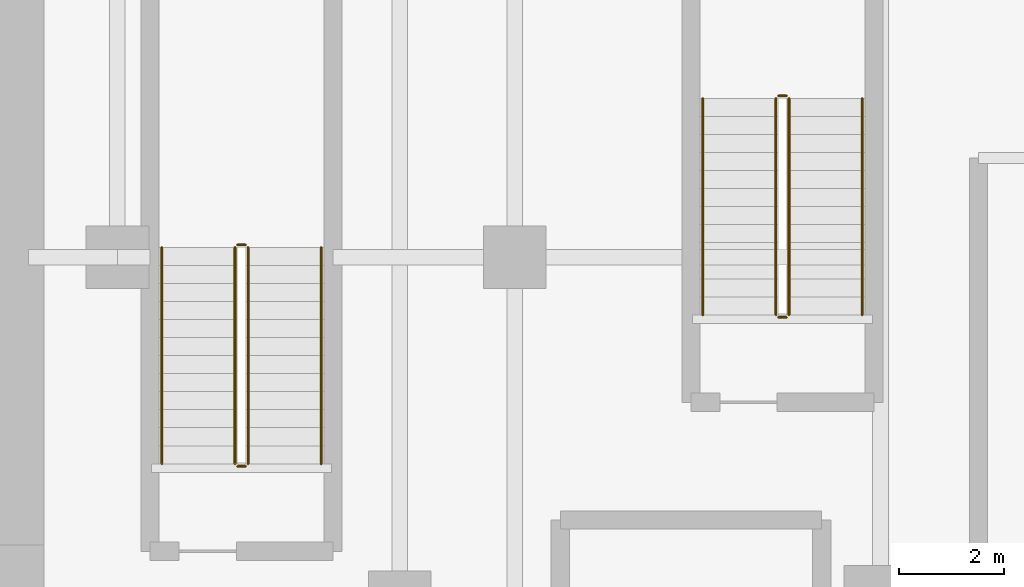
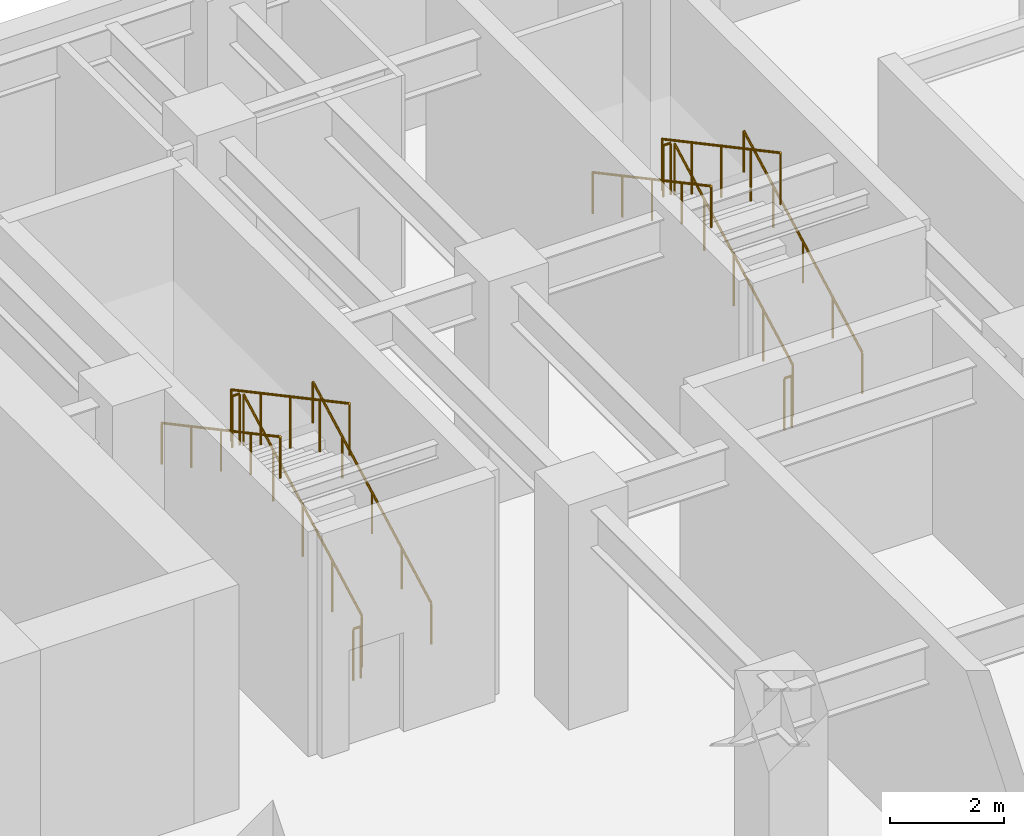
# One storey, part 8 of 8: 12 railings.
"""IFC4 building model written with IfcOpenShell, lengths in metres."""

from ifc_helpers import new_model, si_unit, direction, frame, origin, origin_2d, place, context, subcontext, project, spatial, circle, extrude, material, type_object, element, save


model = new_model("IFC4")

# Units and contexts
model_context = context("Model", 3, precision=1e-05, world=origin(), true_north=direction((0.0, 1.0)))
body_context = subcontext(model_context, "Body", "Model", "MODEL_VIEW")
ifc_project = project(units=[si_unit("LENGTHUNIT", "METRE"), si_unit("AREAUNIT", "SQUARE_METRE"), si_unit("VOLUMEUNIT", "CUBIC_METRE"), si_unit("PLANEANGLEUNIT", "RADIAN"), si_unit("MASSUNIT", "GRAM", prefix="KILO")], contexts=[model_context])

# Site, building, storey
site_placement = place(None, origin())
site = spatial("IfcSite", under=ifc_project, at=site_placement, CompositionType="ELEMENT")
building_placement = place(site_placement, origin())
building = spatial("IfcBuilding", under=site, at=building_placement, Name="Tolvann Quenvar Hotel", CompositionType="ELEMENT")
storey_placement = place(building_placement, frame((0.0, 0.0, -9.60009765625)))
storey = spatial("IfcBuildingStorey", under=building, at=storey_placement, Name="B02", CompositionType="ELEMENT", Elevation=-9.60009765625)

# Railings
ifc_material = material(Name="Brushed 316 stainless steel balustrade and handrail", Category="steel")
railing_type_1 = type_object("IfcRailingType", Name="GUARDRAIL", PredefinedType="GUARDRAIL", material=ifc_material)
railing_1_placement = place(storey_placement, frame((44.300048828125, 34.050048828125, 0.184814453125)))
element("IfcRailing", 1, at=railing_1_placement, inside=storey, type_object=railing_type_1, Name="B02 ST-B2 stair guard 1", PredefinedType="GUARDRAIL", context=body_context, shape_type="SweptSolid", body=[
    extrude(circle(Radius=0.02392578125, at=origin_2d()), frame((0.0, 0.0, 1.09619140625), z_axis=(0.0, 0.881698630289, 0.471813019475), x_axis=(-1.0, 0.0, 0.0)), (0.0, 0.0, 1.0), 4.6953125),
    extrude(circle(Radius=0.02099609375, at=origin_2d()), origin(), (0.0, 0.0, 1.0), 1.072021484375),
    extrude(circle(Radius=0.02099609375, at=origin_2d()), frame((0.0, 1.034912109375, 0.5537109375)), (0.0, 0.0, 1.0), 1.072021484375),
    extrude(circle(Radius=0.02099609375, at=origin_2d()), frame((0.0, 2.06982421875, 1.107666015625)), (0.0, 0.0, 1.0), 1.072021484375),
    extrude(circle(Radius=0.02099609375, at=origin_2d()), frame((0.0, 3.10498046875, 1.66162109375)), (0.0, 0.0, 1.0), 1.072021484375),
    extrude(circle(Radius=0.02099609375, at=origin_2d()), frame((0.0, 4.139892578125, 2.21533203125)), (0.0, 0.0, 1.0), 1.072021484375),
])
railing_2_placement = place(storey_placement, frame((44.25, 38.239990234375, 2.400146484375)))
element("IfcRailing", 2, at=railing_2_placement, inside=storey, type_object=railing_type_1, Name="B02 ST-B2 stair guard 2", PredefinedType="GUARDRAIL", context=body_context, shape_type="SweptSolid", body=[
    extrude(circle(Radius=0.02392578125, at=origin_2d()), frame((0.0, 0.0, 1.09619140625), z_axis=(-1.0, 0.0, 0.0), x_axis=(0.0, -1.0, 0.0)), (0.0, 0.0, 1.0), 0.14990234375),
    extrude(circle(Radius=0.02099609375, at=origin_2d()), origin(), (0.0, 0.0, 1.0), 1.072021484375),
    extrude(circle(Radius=0.02099609375, at=origin_2d()), frame((-0.14990234375, 0.0, 0.0)), (0.0, 0.0, 1.0), 1.072021484375),
])
railing_3_placement = place(storey_placement, frame((44.050048828125, 38.18994140625, 2.584716796875)))
element("IfcRailing", 3, at=railing_3_placement, inside=storey, type_object=railing_type_1, Name="B02 ST-B2 stair guard 3", PredefinedType="GUARDRAIL", context=body_context, shape_type="SweptSolid", body=[
    extrude(circle(Radius=0.02392578125, at=origin_2d()), frame((0.0, 0.0, 1.09619140625), z_axis=(0.0, -0.881698630289, 0.471813019475), x_axis=(1.0, 0.0, 0.0)), (0.0, 0.0, 1.0), 4.6953125),
    extrude(circle(Radius=0.02099609375, at=origin_2d()), origin(), (0.0, 0.0, 1.0), 1.072021484375),
    extrude(circle(Radius=0.02099609375, at=origin_2d()), frame((0.0, -1.034912109375, 0.5537109375)), (0.0, 0.0, 1.0), 1.072021484375),
    extrude(circle(Radius=0.02099609375, at=origin_2d()), frame((0.0, -2.06982421875, 1.107666015625)), (0.0, 0.0, 1.0), 1.072021484375),
    extrude(circle(Radius=0.02099609375, at=origin_2d()), frame((0.0, -3.10498046875, 1.66162109375)), (0.0, 0.0, 1.0), 1.072021484375),
    extrude(circle(Radius=0.02099609375, at=origin_2d()), frame((0.0, -4.139892578125, 2.21533203125)), (0.0, 0.0, 1.0), 1.072021484375),
])
railing_4_placement = place(storey_placement, frame((44.25, 34.0, 0.0)))
element("IfcRailing", 4, at=railing_4_placement, inside=storey, type_object=railing_type_1, Name="B02 ST-B2 stair guard 4", PredefinedType="GUARDRAIL", context=body_context, shape_type="SweptSolid", body=[
    extrude(circle(Radius=0.02392578125, at=origin_2d()), frame((0.0, 0.0, 1.09619140625), z_axis=(-1.0, 0.0, 0.0), x_axis=(0.0, -1.0, 0.0)), (0.0, 0.0, 1.0), 0.14990234375),
    extrude(circle(Radius=0.02099609375, at=origin_2d()), origin(), (0.0, 0.0, 1.0), 1.072021484375),
    extrude(circle(Radius=0.02099609375, at=origin_2d()), frame((-0.14990234375, 0.0, 0.0)), (0.0, 0.0, 1.0), 1.072021484375),
])
railing_5_placement = place(storey_placement, frame((54.64990234375, 36.89990234375, 0.184814453125)))
element("IfcRailing", 5, at=railing_5_placement, inside=storey, type_object=railing_type_1, Name="B02 ST-B3 stair guard 1", PredefinedType="GUARDRAIL", context=body_context, shape_type="SweptSolid", body=[
    extrude(circle(Radius=0.02392578125, at=origin_2d()), frame((0.0, 0.0, 1.09619140625), z_axis=(0.0, 0.881710204226, 0.47179139009), x_axis=(-1.0, 0.0, 0.0)), (0.0, 0.0, 1.0), 4.695556640625),
    extrude(circle(Radius=0.02099609375, at=origin_2d()), origin(), (0.0, 0.0, 1.0), 1.072021484375),
    extrude(circle(Radius=0.02099609375, at=origin_2d()), frame((0.0, 1.03515625, 0.5537109375)), (0.0, 0.0, 1.0), 1.072021484375),
    extrude(circle(Radius=0.02099609375, at=origin_2d()), frame((0.0, 2.070068359375, 1.107666015625)), (0.0, 0.0, 1.0), 1.072021484375),
    extrude(circle(Radius=0.02099609375, at=origin_2d()), frame((0.0, 3.10498046875, 1.66162109375)), (0.0, 0.0, 1.0), 1.072021484375),
    extrude(circle(Radius=0.02099609375, at=origin_2d()), frame((0.0, 4.14013671875, 2.21533203125)), (0.0, 0.0, 1.0), 1.072021484375),
])
railing_6_placement = place(storey_placement, frame((54.60009765625, 41.090087890625, 2.400146484375)))
element("IfcRailing", 6, at=railing_6_placement, inside=storey, type_object=railing_type_1, Name="B02 ST-B3 stair guard 2", PredefinedType="GUARDRAIL", context=body_context, shape_type="SweptSolid", body=[
    extrude(circle(Radius=0.02392578125, at=origin_2d()), frame((0.0, 0.0, 1.09619140625), z_axis=(-1.0, 0.0, 0.0), x_axis=(0.0, -1.0, 0.0)), (0.0, 0.0, 1.0), 0.150146484375),
    extrude(circle(Radius=0.02099609375, at=origin_2d()), origin(), (0.0, 0.0, 1.0), 1.072021484375),
    extrude(circle(Radius=0.02099609375, at=origin_2d()), frame((-0.150146484375, 0.0, 0.0)), (0.0, 0.0, 1.0), 1.072021484375),
])
railing_7_placement = place(storey_placement, frame((54.39990234375, 41.0400390625, 2.584716796875)))
element("IfcRailing", 7, at=railing_7_placement, inside=storey, type_object=railing_type_1, Name="B02 ST-B3 stair guard 3", PredefinedType="GUARDRAIL", context=body_context, shape_type="SweptSolid", body=[
    extrude(circle(Radius=0.02392578125, at=origin_2d()), frame((0.0, 0.0, 1.09619140625), z_axis=(0.0, -0.881710204226, 0.47179139009), x_axis=(1.0, 0.0, 0.0)), (0.0, 0.0, 1.0), 4.695556640625),
    extrude(circle(Radius=0.02099609375, at=origin_2d()), origin(), (0.0, 0.0, 1.0), 1.072021484375),
    extrude(circle(Radius=0.02099609375, at=origin_2d()), frame((0.0, -1.03515625, 0.5537109375)), (0.0, 0.0, 1.0), 1.072021484375),
    extrude(circle(Radius=0.02099609375, at=origin_2d()), frame((0.0, -2.070068359375, 1.107666015625)), (0.0, 0.0, 1.0), 1.072021484375),
    extrude(circle(Radius=0.02099609375, at=origin_2d()), frame((0.0, -3.10498046875, 1.66162109375)), (0.0, 0.0, 1.0), 1.072021484375),
    extrude(circle(Radius=0.02099609375, at=origin_2d()), frame((0.0, -4.14013671875, 2.21533203125)), (0.0, 0.0, 1.0), 1.072021484375),
])
railing_8_placement = place(storey_placement, frame((54.60009765625, 36.85009765625, 0.0)))
element("IfcRailing", 8, at=railing_8_placement, inside=storey, type_object=railing_type_1, Name="B02 ST-B3 stair guard 4", PredefinedType="GUARDRAIL", context=body_context, shape_type="SweptSolid", body=[
    extrude(circle(Radius=0.02392578125, at=origin_2d()), frame((0.0, 0.0, 1.09619140625), z_axis=(-1.0, 0.0, 0.0), x_axis=(0.0, -1.0, 0.0)), (0.0, 0.0, 1.0), 0.150146484375),
    extrude(circle(Radius=0.02099609375, at=origin_2d()), origin(), (0.0, 0.0, 1.0), 1.072021484375),
    extrude(circle(Radius=0.02099609375, at=origin_2d()), frame((-0.150146484375, 0.0, 0.0)), (0.0, 0.0, 1.0), 1.072021484375),
])
railing_type_2 = type_object("IfcRailingType", Name="HANDRAIL", PredefinedType="HANDRAIL", material=ifc_material)
railing_9_placement = place(storey_placement, frame((45.699951171875, 34.050048828125, 0.184814453125)))
element("IfcRailing", 9, at=railing_9_placement, inside=storey, type_object=railing_type_2, Name="B02 ST-B2 stair handrail 1", PredefinedType="HANDRAIL", context=body_context, shape_type="SweptSolid", body=[
    extrude(circle(Radius=0.02392578125, at=origin_2d()), frame((0.0, 0.0, 0.8759765625), z_axis=(0.0, 0.881698630289, 0.471813019475), x_axis=(-1.0, 0.0, 0.0)), (0.0, 0.0, 1.0), 4.6953125),
    extrude(circle(Radius=0.02099609375, at=origin_2d()), origin(), (0.0, 0.0, 1.0), 0.851806640625),
    extrude(circle(Radius=0.02099609375, at=origin_2d()), frame((0.0, 1.034912109375, 0.5537109375)), (0.0, 0.0, 1.0), 0.851806640625),
    extrude(circle(Radius=0.02099609375, at=origin_2d()), frame((0.0, 2.06982421875, 1.107666015625)), (0.0, 0.0, 1.0), 0.851806640625),
    extrude(circle(Radius=0.02099609375, at=origin_2d()), frame((0.0, 3.10498046875, 1.66162109375)), (0.0, 0.0, 1.0), 0.851806640625),
    extrude(circle(Radius=0.02099609375, at=origin_2d()), frame((0.0, 4.139892578125, 2.21533203125)), (0.0, 0.0, 1.0), 0.851806640625),
])
railing_10_placement = place(storey_placement, frame((42.64990234375, 38.18994140625, 2.584716796875)))
element("IfcRailing", 10, at=railing_10_placement, inside=storey, type_object=railing_type_2, Name="B02 ST-B2 stair handrail 2", PredefinedType="HANDRAIL", context=body_context, shape_type="SweptSolid", body=[
    extrude(circle(Radius=0.02392578125, at=origin_2d()), frame((0.0, 0.0, 0.8759765625), z_axis=(0.0, -0.881698630289, 0.471813019475), x_axis=(1.0, 0.0, 0.0)), (0.0, 0.0, 1.0), 4.6953125),
    extrude(circle(Radius=0.02099609375, at=origin_2d()), origin(), (0.0, 0.0, 1.0), 0.851806640625),
    extrude(circle(Radius=0.02099609375, at=origin_2d()), frame((0.0, -1.034912109375, 0.5537109375)), (0.0, 0.0, 1.0), 0.851806640625),
    extrude(circle(Radius=0.02099609375, at=origin_2d()), frame((0.0, -2.06982421875, 1.107666015625)), (0.0, 0.0, 1.0), 0.851806640625),
    extrude(circle(Radius=0.02099609375, at=origin_2d()), frame((0.0, -3.10498046875, 1.66162109375)), (0.0, 0.0, 1.0), 0.851806640625),
    extrude(circle(Radius=0.02099609375, at=origin_2d()), frame((0.0, -4.139892578125, 2.21533203125)), (0.0, 0.0, 1.0), 0.851806640625),
])
railing_11_placement = place(storey_placement, frame((56.050048828125, 36.89990234375, 0.184814453125)))
element("IfcRailing", 11, at=railing_11_placement, inside=storey, type_object=railing_type_2, Name="B02 ST-B3 stair handrail 1", PredefinedType="HANDRAIL", context=body_context, shape_type="SweptSolid", body=[
    extrude(circle(Radius=0.02392578125, at=origin_2d()), frame((0.0, 0.0, 0.8759765625), z_axis=(0.0, 0.881710204226, 0.47179139009), x_axis=(-1.0, 0.0, 0.0)), (0.0, 0.0, 1.0), 4.695556640625),
    extrude(circle(Radius=0.02099609375, at=origin_2d()), origin(), (0.0, 0.0, 1.0), 0.851806640625),
    extrude(circle(Radius=0.02099609375, at=origin_2d()), frame((0.0, 1.03515625, 0.5537109375)), (0.0, 0.0, 1.0), 0.851806640625),
    extrude(circle(Radius=0.02099609375, at=origin_2d()), frame((0.0, 2.070068359375, 1.107666015625)), (0.0, 0.0, 1.0), 0.851806640625),
    extrude(circle(Radius=0.02099609375, at=origin_2d()), frame((0.0, 3.10498046875, 1.66162109375)), (0.0, 0.0, 1.0), 0.851806640625),
    extrude(circle(Radius=0.02099609375, at=origin_2d()), frame((0.0, 4.14013671875, 2.21533203125)), (0.0, 0.0, 1.0), 0.851806640625),
])
railing_12_placement = place(storey_placement, frame((53.0, 41.0400390625, 2.584716796875)))
element("IfcRailing", 12, at=railing_12_placement, inside=storey, type_object=railing_type_2, Name="B02 ST-B3 stair handrail 2", PredefinedType="HANDRAIL", context=body_context, shape_type="SweptSolid", body=[
    extrude(circle(Radius=0.02392578125, at=origin_2d()), frame((0.0, 0.0, 0.8759765625), z_axis=(0.0, -0.881710204226, 0.47179139009), x_axis=(1.0, 0.0, 0.0)), (0.0, 0.0, 1.0), 4.695556640625),
    extrude(circle(Radius=0.02099609375, at=origin_2d()), origin(), (0.0, 0.0, 1.0), 0.851806640625),
    extrude(circle(Radius=0.02099609375, at=origin_2d()), frame((0.0, -1.03515625, 0.5537109375)), (0.0, 0.0, 1.0), 0.851806640625),
    extrude(circle(Radius=0.02099609375, at=origin_2d()), frame((0.0, -2.070068359375, 1.107666015625)), (0.0, 0.0, 1.0), 0.851806640625),
    extrude(circle(Radius=0.02099609375, at=origin_2d()), frame((0.0, -3.10498046875, 1.66162109375)), (0.0, 0.0, 1.0), 0.851806640625),
    extrude(circle(Radius=0.02099609375, at=origin_2d()), frame((0.0, -4.14013671875, 2.21533203125)), (0.0, 0.0, 1.0), 0.851806640625),
])

save(model, "model.ifc")
